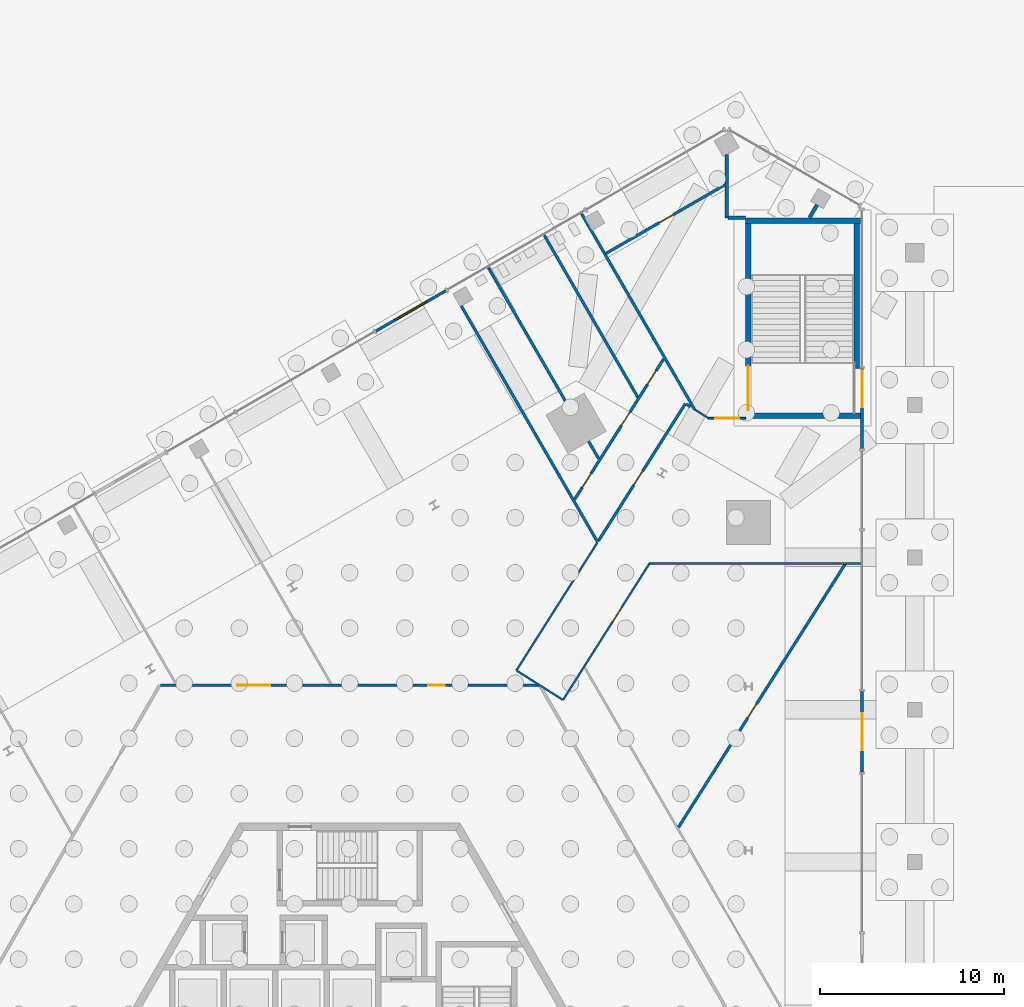
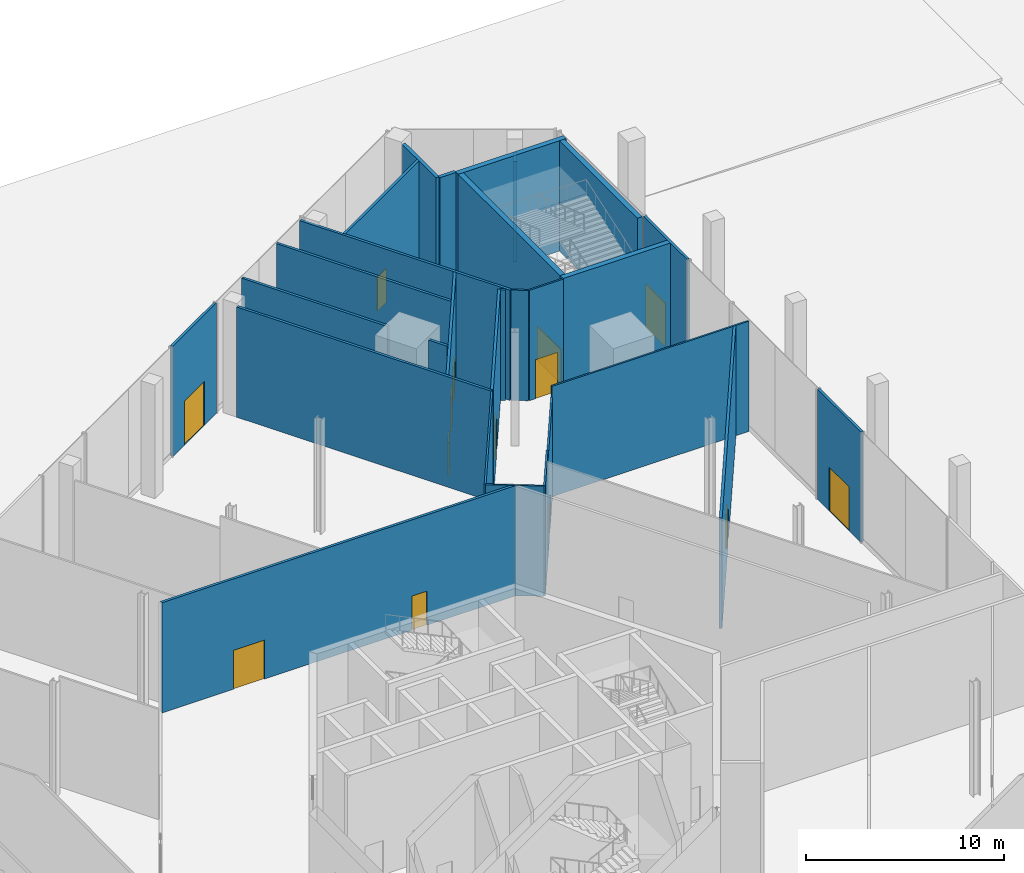
# One storey, part 22 of 27: 28 walls, 14 doors, 14 openings.
"""IFC4 building model written with IfcOpenShell, lengths in metres."""

import ifcopenshell
import ifcopenshell.guid

model = None  # the IFC model being written
_history = None  # IfcOwnerHistory: only IFC2X3 demands one
_inside = {}  # id of a spatial element -> (the spatial element, [elements in it])
_under = {}  # id of a project, library or spatial element -> (it, [spatial elements below it])
_declared = {}  # id of a project -> (the project, [libraries it declares])
_typed = {}  # id of a type object -> (the type object, [elements of that type])
_made_of = {}  # id of a material, layer set ... -> (it, [elements and type objects made of it])


def new_model(schema):
    """Start an empty IFC model of exactly this schema.

    Asked for "IFC4X3", IfcOpenShell would pick the latest addendum, in which some entities
    have other attributes; the version numbers below select the first issue.
    IFC2X3 requires an IfcOwnerHistory on every rooted entity: one is made here for all.
    """
    global model, _history
    if schema == "IFC4X3":
        model = ifcopenshell.file(schema_version=(4, 3, 0, 0))
    else:
        model = ifcopenshell.file(schema=schema)
    _inside.clear()
    _under.clear()
    _declared.clear()
    _typed.clear()
    _made_of.clear()
    _history = None
    if model.schema == "IFC2X3":
        org = make("IfcOrganization", Name="unknown")
        user = make(
            "IfcPersonAndOrganization",
            ThePerson=make("IfcPerson", FamilyName="unknown"),
            TheOrganization=org,
        )
        app = make(
            "IfcApplication",
            ApplicationDeveloper=org,
            Version="unknown",
            ApplicationFullName="unknown",
            ApplicationIdentifier="unknown",
        )
        _history = make(
            "IfcOwnerHistory",
            OwningUser=user,
            OwningApplication=app,
            ChangeAction="ADDED",
            CreationDate=0,
        )
    return model


def make(cls, **values):
    """One entity of the class cls with the attributes given. An attribute that is None is left unset."""
    return model.create_entity(
        cls, **{name: value for name, value in values.items() if value is not None}
    )


def rooted(cls, **values):
    """An entity with a GlobalId (a new one), such as an element, a storey or a relation."""
    return make(cls, GlobalId=ifcopenshell.guid.new(), OwnerHistory=_history, **values)


def si_unit(unit_type, name, prefix=None):
    """IfcSIUnit, for example si_unit("LENGTHUNIT", "METRE", prefix="MILLI")."""
    return make("IfcSIUnit", UnitType=unit_type, Prefix=prefix, Name=name)


def assignment(units):
    """IfcUnitAssignment: the units of a project."""
    return None if units is None else make("IfcUnitAssignment", Units=units)


def point(xyz):
    """IfcCartesianPoint."""
    return None if xyz is None else make("IfcCartesianPoint", Coordinates=xyz)


def direction(xyz):
    """IfcDirection."""
    return None if xyz is None else make("IfcDirection", DirectionRatios=xyz)


def frame(location, z_axis=None, x_axis=None):
    """IfcAxis2Placement3D, a coordinate frame: its origin and axes. An axis left out is left unset."""
    return make(
        "IfcAxis2Placement3D",
        Location=point(location),
        Axis=direction(z_axis),
        RefDirection=direction(x_axis),
    )


def frame_2d(location, x_axis=None):
    """IfcAxis2Placement2D, a coordinate frame in the plane: its origin and x axis."""
    return make(
        "IfcAxis2Placement2D", Location=point(location), RefDirection=direction(x_axis)
    )


def origin():
    """The frame at (0, 0, 0) with its axes left unset."""
    return frame((0.0, 0.0, 0.0))


def place(relative_to, where):
    """IfcLocalPlacement: puts the frame where relative to a parent placement (None: the world)."""
    return make(
        "IfcLocalPlacement", PlacementRelTo=relative_to, RelativePlacement=where
    )


def context(
    kind, dimensions, precision=None, world=None, true_north=None, identifier=None
):
    """IfcGeometricRepresentationContext, for example the 3D "Model" context."""
    return make(
        "IfcGeometricRepresentationContext",
        ContextIdentifier=identifier,
        ContextType=kind,
        CoordinateSpaceDimension=dimensions,
        Precision=precision,
        WorldCoordinateSystem=world,
        TrueNorth=true_north,
    )


def subcontext(parent, identifier, kind, view, scale=None):
    """IfcGeometricRepresentationSubContext, for example "Body" below "Model"."""
    return make(
        "IfcGeometricRepresentationSubContext",
        ContextIdentifier=identifier,
        ContextType=kind,
        ParentContext=parent,
        TargetScale=scale,
        TargetView=view,
    )


def project(units=None, contexts=None):
    """IfcProject with its units and contexts."""
    return rooted(
        "IfcProject",
        Name="project",
        RepresentationContexts=contexts,
        UnitsInContext=assignment(units),
    )


def spatial(cls, under=None, at=None, **own):
    """A site, building, storey or space (cls), placed at a placement, below another one or the project."""
    s = rooted(cls, ObjectPlacement=at, **own)
    if under is not None:
        _under.setdefault(under.id(), (under, []))[1].append(s)
    return s


def profile(cls, at=None, kind="AREA", **sizes):
    """A parametric profile (cls). Its sizes go by their IFC names, for example OverallWidth=200.0."""
    return make(cls, ProfileType=kind, Position=at, **sizes)


def rectangle(**sizes):
    """IfcRectangleProfileDef."""
    return profile("IfcRectangleProfileDef", **sizes)


def extrude(swept, where, along, depth):
    """IfcExtrudedAreaSolid: the profile swept, set in the frame where, extruded along a direction by depth."""
    return make(
        "IfcExtrudedAreaSolid",
        SweptArea=swept,
        Position=where,
        ExtrudedDirection=direction(along),
        Depth=depth,
    )


def shape(context_of_items, identifier, shape_type, items):
    """IfcShapeRepresentation: the items that make up one representation, for example the "Body"."""
    return make(
        "IfcShapeRepresentation",
        ContextOfItems=context_of_items,
        RepresentationIdentifier=identifier,
        RepresentationType=shape_type,
        Items=items,
    )


def source(mapping_origin, context_of_items, identifier, shape_type, items):
    """IfcRepresentationMap: a shape defined once, which mapped items show again and again."""
    return make(
        "IfcRepresentationMap",
        MappingOrigin=mapping_origin,
        MappedRepresentation=shape(context_of_items, identifier, shape_type, items),
    )


def transform(
    local_origin,
    x_axis=None,
    y_axis=None,
    z_axis=None,
    scale=None,
    scale2=None,
    scale3=None,
    uniform=True,
):
    """IfcCartesianTransformationOperator3D, or its non-uniform kind. x_axis, y_axis, z_axis: its Axis1, 2, 3."""
    if uniform:
        return make(
            "IfcCartesianTransformationOperator3D",
            Axis1=direction(x_axis),
            Axis2=direction(y_axis),
            LocalOrigin=point(local_origin),
            Scale=scale,
            Axis3=direction(z_axis),
        )
    return make(
        "IfcCartesianTransformationOperator3DnonUniform",
        Axis1=direction(x_axis),
        Axis2=direction(y_axis),
        LocalOrigin=point(local_origin),
        Scale=scale,
        Axis3=direction(z_axis),
        Scale2=scale2,
        Scale3=scale3,
    )


def mapped(mapping_source, mapping_target):
    """IfcMappedItem: shows the shape of a source again, moved by a transform."""
    return make(
        "IfcMappedItem", MappingSource=mapping_source, MappingTarget=mapping_target
    )


def material(Name=None, Category=None):
    """IfcMaterial."""
    return make("IfcMaterial", Name=Name, Category=Category)


def layer(
    of_material, thickness, ventilated=None, Name=None, Category=None, Priority=None
):
    """IfcMaterialLayer: one layer of a wall or slab, of a material (None: an air gap)."""
    return make(
        "IfcMaterialLayer",
        Material=of_material,
        LayerThickness=thickness,
        IsVentilated=ventilated,
        Name=Name,
        Category=Category,
        Priority=Priority,
    )


def layer_set(layers, Name=None):
    """IfcMaterialLayerSet."""
    return make("IfcMaterialLayerSet", MaterialLayers=layers, LayerSetName=Name)


def made_of(thing, what):
    """Note that an element or type object is made of a material, layer set ...; save() writes the relation."""
    if what is not None:
        _made_of.setdefault(what.id(), (what, []))[1].append(thing)
    return thing


def type_object(cls, material=None, **own):
    """A type object (cls), such as IfcWallType, which elements share."""
    return made_of(rooted(cls, **own), material)


def element(
    cls,
    number,
    at=None,
    inside=None,
    cuts=None,
    type_object=None,
    material=None,
    context=None,
    identifier="Body",
    shape_type=None,
    held_by="IfcProductDefinitionShape",
    body=None,
    shapes=None,
    **own,
):
    """One element of the class cls, such as IfcWall. Its Tag is "e" and its number.

    at: its placement. inside: the storey or other place that contains it. cuts: it is an
    opening in that element (IfcRelVoidsElement). A single representation is given by context,
    identifier, shape_type and body (its items); several are given by shapes. held_by: the class
    of the entity that holds the representations. save() writes the other relations.
    """
    e = rooted(cls, Tag="e%d" % number, ObjectPlacement=at, **own)
    if body is not None:
        shapes = [shape(context, identifier, shape_type, body)]
    if shapes is not None:
        e.Representation = make(held_by, Representations=shapes)
    if inside is not None:
        _inside.setdefault(inside.id(), (inside, []))[1].append(e)
    if cuts is not None:
        rooted(
            "IfcRelVoidsElement", RelatingBuildingElement=cuts, RelatedOpeningElement=e
        )
    if type_object is not None:
        _typed.setdefault(type_object.id(), (type_object, []))[1].append(e)
    return made_of(e, material)


def fill(opening, filler):
    """IfcRelFillsElement: the door or window that sits in an opening."""
    return rooted(
        "IfcRelFillsElement",
        RelatingOpeningElement=opening,
        RelatedBuildingElement=filler,
    )


def aggregate(whole, parts):
    """IfcRelAggregates: a whole, such as a stair, and the parts it consists of."""
    return rooted("IfcRelAggregates", RelatingObject=whole, RelatedObjects=parts)


def save(model, path):
    """Write the relations noted so far, then the file.

    IfcRelAggregates (storeys below a building ...), IfcRelContainedInSpatialStructure (elements
    in a storey), IfcRelDefinesByType, IfcRelAssociatesMaterial and IfcRelDeclares: one each for
    every whole, place, type object, material and project.
    """
    for whole, parts in _under.values():
        aggregate(whole, parts)
    for where, things in _inside.values():
        rooted(
            "IfcRelContainedInSpatialStructure",
            RelatedElements=things,
            RelatingStructure=where,
        )
    for kind, things in _typed.values():
        rooted("IfcRelDefinesByType", RelatedObjects=things, RelatingType=kind)
    for what, things in _made_of.values():
        rooted("IfcRelAssociatesMaterial", RelatedObjects=things, RelatingMaterial=what)
    for by, libraries in _declared.values():
        rooted("IfcRelDeclares", RelatingContext=by, RelatedDefinitions=libraries)
    model.write(path)


model = new_model("IFC4")

# Units and contexts
model_context = context("Model", 3, precision=1e-05, world=origin(), true_north=direction((0.0, 1.0)))
body_context = subcontext(model_context, "Body", "Model", "MODEL_VIEW")
ifc_project = project(units=[si_unit("LENGTHUNIT", "METRE"), si_unit("AREAUNIT", "SQUARE_METRE"), si_unit("VOLUMEUNIT", "CUBIC_METRE"), si_unit("PLANEANGLEUNIT", "RADIAN"), si_unit("MASSUNIT", "GRAM", prefix="KILO")], contexts=[model_context])

# Site, building, storey
site_placement = place(None, origin())
site = spatial("IfcSite", under=ifc_project, at=site_placement, CompositionType="ELEMENT")
building_placement = place(site_placement, origin())
building = spatial("IfcBuilding", under=site, at=building_placement, Name="Triune Harvest Tower", CompositionType="ELEMENT")
storey_placement = place(building_placement, origin())
storey = spatial("IfcBuildingStorey", under=building, at=storey_placement, Name="L00", CompositionType="ELEMENT", Elevation=0.0)

# Walls
ifc_material_1 = material(Name="Gypsum board on steel studs", Category="steel")
ifc_layer_1 = layer(ifc_material_1, 0.14990234375)
ifc_layer_set_1 = layer_set([ifc_layer_1], Name="Gypsum board on steel studs")
wall_type_1 = type_object("IfcWallType", Name="Fire Partition 150 mm", PredefinedType="PARTITIONING", material=ifc_layer_set_1)
wall_1_placement = place(storey_placement, frame((6.063720703125, 38.51708984375, 0.0), z_axis=(0.0, 0.0, 1.0), x_axis=(0.500008320849, -0.866020599687, 0.0)))
element("IfcWall", 1, at=wall_1_placement, inside=storey, type_object=wall_type_1, Name="Partition L00 013", PredefinedType="PARTITIONING", context=body_context, shape_type="SweptSolid", body=[
    extrude(rectangle(XDim=14.834716796875, YDim=0.14990234375, at=frame_2d((7.41748046875, 0.0))), origin(), (0.0, 0.0, 1.0), 6.800048828125),
])
wall_2_placement = place(storey_placement, frame((7.5419921875, 40.588134765625, 0.0), z_axis=(0.0, 0.0, 1.0), x_axis=(0.500023771114, -0.86601167909, 0.0)))
element("IfcWall", 2, at=wall_2_placement, inside=storey, type_object=wall_type_1, Name="Partition L00 014", PredefinedType="PARTITIONING", context=body_context, shape_type="SweptSolid", body=[
    extrude(rectangle(XDim=8.509765625, YDim=0.14990234375, at=frame_2d((4.2548828125, 0.0))), origin(), (0.0, 0.0, 1.0), 6.800048828125),
])
wall_3_placement = place(storey_placement, frame((12.98681640625, 31.1572265625, 0.0), z_axis=(0.0, 0.0, 1.0), x_axis=(0.499993928037, -0.866028909405, 0.0)))
element("IfcWall", 3, at=wall_3_placement, inside=storey, type_object=wall_type_1, Name="Partition L00 015", PredefinedType="PARTITIONING", context=body_context, shape_type="SweptSolid", body=[
    extrude(rectangle(XDim=1.08984375, YDim=0.14990234375, at=frame_2d((0.544921875, 0.0))), origin(), (0.0, 0.0, 1.0), 6.800048828125),
])
wall_4_placement = place(storey_placement, frame((10.583984375, 42.344482421875, 0.0), z_axis=(0.0, 0.0, 1.0), x_axis=(0.500008646395, -0.866020411728, 0.0)))
element("IfcWall", 4, at=wall_4_placement, inside=storey, type_object=wall_type_1, Name="Partition L00 016", PredefinedType="PARTITIONING", context=body_context, shape_type="SweptSolid", body=[
    extrude(rectangle(XDim=10.239501953125, YDim=0.14990234375, at=frame_2d((5.11962890625, 0.0))), origin(), (0.0, 0.0, 1.0), 6.800048828125),
])
wall_5_placement = place(storey_placement, frame((12.612060546875, 43.51513671875, 0.0), z_axis=(0.0, 0.0, 1.0), x_axis=(0.500002073493, -0.866024206649, 0.0)))
element("IfcWall", 5, at=wall_5_placement, inside=storey, type_object=wall_type_1, Name="Partition L00 017", PredefinedType="PARTITIONING", context=body_context, shape_type="SweptSolid", body=[
    extrude(rectangle(XDim=12.26904296875, YDim=0.14990234375, at=frame_2d((6.134521484375, 0.0))), origin(), (0.0, 0.0, 1.0), 6.800048828125),
])
wall_6_placement = place(storey_placement, frame((18.29541015625, 33.175537109375, 0.0), z_axis=(0.0, 0.0, 1.0), x_axis=(0.845341014492, -0.534227076456, 0.0)))
element("IfcWall", 6, at=wall_6_placement, inside=storey, type_object=wall_type_1, Name="Partition L00 022", PredefinedType="PARTITIONING", context=body_context, shape_type="SweptSolid", body=[
    extrude(rectangle(XDim=0.274658203125, YDim=0.14990234375, at=frame_2d((0.13720703125, 0.0))), origin(), (0.0, 0.0, 1.0), 6.800048828125),
])

# Wall, openings, doors
wall_7_placement = place(storey_placement, frame((-10.280029296875, 17.892333984375, 0.0), z_axis=(0.0, 0.0, 1.0), x_axis=(1.0, 0.0, 0.0)))
wall_7 = element("IfcWall", 7, at=wall_7_placement, inside=storey, type_object=wall_type_1, Name="Partition L00 037", PredefinedType="PARTITIONING", context=body_context, shape_type="SweptSolid", body=[
    extrude(rectangle(XDim=20.6083984375, YDim=0.14990234375, at=frame_2d((10.30419921875, 0.0))), origin(), (0.0, 0.0, 1.0), 6.800048828125),
])
opening_1_placement = place(wall_7_placement, frame((4.162353515625, 0.0, 0.0)))
opening_1 = element("IfcOpeningElement", 8, at=opening_1_placement, cuts=wall_7, Name="Opening L00-015", PredefinedType="OPENING", context=body_context, shape_type="SweptSolid", body=[
    extrude(rectangle(XDim=1.800048828125, YDim=2.39990234375, at=frame_2d((0.89990234375, 1.199951171875))), frame((0.0, 0.0849609375, 0.0), z_axis=(0.0, -1.0, 0.0), x_axis=(1.0, 0.0, 0.0)), (0.0, 0.0, 1.0), 0.169921875),
])
opening_2_placement = place(wall_7_placement, frame((14.560302734375, 0.0, 0.0)))
opening_2 = element("IfcOpeningElement", 9, at=opening_2_placement, cuts=wall_7, Name="Opening L00-017", PredefinedType="OPENING", context=body_context, shape_type="SweptSolid", body=[
    extrude(rectangle(XDim=0.89990234375, YDim=2.10009765625, at=frame_2d((0.449951171875, 1.050048828125))), frame((0.0, 0.0849609375, 0.0), z_axis=(0.0, -1.0, 0.0), x_axis=(1.0, 0.0, 0.0)), (0.0, 0.0, 1.0), 0.169921875),
])
ifc_material_2 = material(Name="Timber and steel door set", Category="steel")
door_type_1 = type_object("IfcDoorType", Name="Double leaf door FD30 1800 x 2400", OperationType="DOUBLE_DOOR_SINGLE_SWING", PredefinedType="DOOR", material=ifc_material_2)
door_1_placement = place(opening_1_placement, origin())
door_1 = element("IfcDoor", 10, at=door_1_placement, inside=storey, type_object=door_type_1, Name="Door L00-015 Market Hall 00.16", OperationType="DOUBLE_DOOR_SINGLE_SWING", OverallHeight=2.39990234375, OverallWidth=1.800048828125, PredefinedType="DOOR", context=body_context, shape_type="SweptSolid", body=[
    extrude(rectangle(XDim=1.800048828125, YDim=2.39990234375, at=frame_2d((0.89990234375, 1.199951171875))), frame((0.0, 0.02490234375, 0.0), z_axis=(0.0, -1.0, 0.0), x_axis=(1.0, 0.0, 0.0)), (0.0, 0.0, 1.0), 0.050048828125),
])
fill(opening_1, door_1)
ifc_material_3 = material(Name="Timber and steel door set", Category="steel")
door_type_2 = type_object("IfcDoorType", Name="Single leaf door FD30 right hand 900 x 2100", OperationType="SINGLE_SWING_RIGHT", PredefinedType="DOOR", material=ifc_material_3)
door_2_placement = place(opening_2_placement, origin())
door_2 = element("IfcDoor", 11, at=door_2_placement, inside=storey, type_object=door_type_2, Name="Door L00-017 Dry Store Room 00.18", OperationType="SINGLE_SWING_RIGHT", OverallHeight=2.10009765625, OverallWidth=0.89990234375, PredefinedType="DOOR", context=body_context, shape_type="SweptSolid", body=[
    extrude(rectangle(XDim=0.89990234375, YDim=2.10009765625, at=frame_2d((0.449951171875, 1.050048828125))), frame((0.0, 0.02490234375, 0.0), z_axis=(0.0, -1.0, 0.0), x_axis=(1.0, 0.0, 0.0)), (0.0, 0.0, 1.0), 0.050048828125),
])
fill(opening_2, door_2)

# Wall, opening, door
wall_8_placement = place(storey_placement, frame((13.917724609375, 41.353515625, 0.0), z_axis=(0.0, 0.0, 1.0), x_axis=(0.866027152591, 0.499996970966, 0.0)))
wall_8 = element("IfcWall", 12, at=wall_8_placement, inside=storey, type_object=wall_type_1, Name="Partition L00 041", PredefinedType="PARTITIONING", context=body_context, shape_type="SweptSolid", body=[
    extrude(rectangle(XDim=7.595703125, YDim=0.14990234375, at=frame_2d((3.7978515625, 0.0))), origin(), (0.0, 0.0, 1.0), 6.800048828125),
])
opening_3_placement = place(wall_8_placement, frame((3.345703125, 0.0, 0.0)))
opening_3 = element("IfcOpeningElement", 13, at=opening_3_placement, cuts=wall_8, Name="Opening L00-010", PredefinedType="OPENING", context=body_context, shape_type="SweptSolid", body=[
    extrude(rectangle(XDim=0.89990234375, YDim=2.10009765625, at=frame_2d((0.449951171875, 1.050048828125))), frame((0.0, 0.0849609375, 0.0), z_axis=(0.0, -1.0, 0.0), x_axis=(1.0, 0.0, 0.0)), (0.0, 0.0, 1.0), 0.169921875),
])
door_3_placement = place(opening_3_placement, origin())
door_3 = element("IfcDoor", 14, at=door_3_placement, inside=storey, type_object=door_type_2, Name="Door L00-010 Dry Store Room 00.11", OperationType="SINGLE_SWING_RIGHT", OverallHeight=2.10009765625, OverallWidth=0.89990234375, PredefinedType="DOOR", context=body_context, shape_type="SweptSolid", body=[
    extrude(rectangle(XDim=0.89990234375, YDim=2.10009765625, at=frame_2d((0.449951171875, 1.050048828125))), frame((0.0, 0.02490234375, 0.0), z_axis=(0.0, -1.0, 0.0), x_axis=(1.0, 0.0, 0.0)), (0.0, 0.0, 1.0), 0.050048828125),
])
fill(opening_3, door_3)

wall_9_placement = place(storey_placement, frame((17.873779296875, 10.16796875, 0.0), z_axis=(0.0, 0.0, 1.0), x_axis=(0.535111950981, 0.844781155044, 0.0)))
wall_9 = element("IfcWall", 15, at=wall_9_placement, inside=storey, type_object=wall_type_1, Name="Partition L00 046", PredefinedType="PARTITIONING", context=body_context, shape_type="SweptSolid", body=[
    extrude(rectangle(XDim=16.977294921875, YDim=0.14990234375, at=frame_2d((8.48876953125, 0.0))), origin(), (0.0, 0.0, 1.0), 6.800048828125),
])
opening_4_placement = place(wall_9_placement, frame((7.027099609375, 0.0, 0.0)))
opening_4 = element("IfcOpeningElement", 16, at=opening_4_placement, cuts=wall_9, Name="Opening L00-007", PredefinedType="OPENING", context=body_context, shape_type="SweptSolid", body=[
    extrude(rectangle(XDim=0.89990234375, YDim=2.10009765625, at=frame_2d((0.449951171875, 1.050048828125))), frame((0.0, 0.0849609375, 0.0), z_axis=(0.0, -1.0, 0.0), x_axis=(1.0, 0.0, 0.0)), (0.0, 0.0, 1.0), 0.169921875),
])
ifc_material_4 = material(Name="Timber and steel door set", Category="steel")
door_type_3 = type_object("IfcDoorType", Name="Single leaf door FD30 left hand 900 x 2100", OperationType="SINGLE_SWING_LEFT", PredefinedType="DOOR", material=ifc_material_4)
door_4_placement = place(opening_4_placement, origin())
door_4 = element("IfcDoor", 17, at=door_4_placement, inside=storey, type_object=door_type_3, Name="Door L00-007 Dry Store Room 00.07", OperationType="SINGLE_SWING_LEFT", OverallHeight=2.10009765625, OverallWidth=0.89990234375, PredefinedType="DOOR", context=body_context, shape_type="SweptSolid", body=[
    extrude(rectangle(XDim=0.89990234375, YDim=2.10009765625, at=frame_2d((0.449951171875, 1.050048828125))), frame((0.0, 0.02490234375, 0.0), z_axis=(0.0, -1.0, 0.0), x_axis=(1.0, 0.0, 0.0)), (0.0, 0.0, 1.0), 0.050048828125),
])
fill(opening_4, door_4)

wall_10_placement = place(storey_placement, frame((13.53466796875, 25.75439453125, 0.0), z_axis=(0.0, 0.0, 1.0), x_axis=(0.535116639276, 0.844778185306, 0.0)))
wall_10 = element("IfcWall", 18, at=wall_10_placement, inside=storey, type_object=wall_type_1, Name="Partition L00 049", PredefinedType="PARTITIONING", context=body_context, shape_type="SweptSolid", body=[
    extrude(rectangle(XDim=8.81689453125, YDim=0.14990234375, at=frame_2d((4.408447265625, 0.0))), origin(), (0.0, 0.0, 1.0), 6.800048828125),
])
opening_5_placement = place(wall_10_placement, frame((3.56689453125, 0.0, 0.0)))
opening_5 = element("IfcOpeningElement", 19, at=opening_5_placement, cuts=wall_10, Name="Opening L00-011", PredefinedType="OPENING", context=body_context, shape_type="SweptSolid", body=[
    extrude(rectangle(XDim=0.89990234375, YDim=2.10009765625, at=frame_2d((0.449951171875, 1.050048828125))), frame((0.0, 0.0849609375, 0.0), z_axis=(0.0, -1.0, 0.0), x_axis=(1.0, 0.0, 0.0)), (0.0, 0.0, 1.0), 0.169921875),
])
door_5_placement = place(opening_5_placement, origin())
door_5 = element("IfcDoor", 20, at=door_5_placement, inside=storey, type_object=door_type_3, Name="Door L00-011 WC lobby 00.12", OperationType="SINGLE_SWING_LEFT", OverallHeight=2.10009765625, OverallWidth=0.89990234375, PredefinedType="DOOR", context=body_context, shape_type="SweptSolid", body=[
    extrude(rectangle(XDim=0.89990234375, YDim=2.10009765625, at=frame_2d((0.449951171875, 1.050048828125))), frame((0.0, 0.02490234375, 0.0), z_axis=(0.0, -1.0, 0.0), x_axis=(1.0, 0.0, 0.0)), (0.0, 0.0, 1.0), 0.050048828125),
])
fill(opening_5, door_5)

# Wall, openings, doors
wall_11_placement = place(storey_placement, frame((12.236328125, 28.0029296875, 0.0), z_axis=(0.0, 0.0, 1.0), x_axis=(0.535130610287, 0.844769335342, 0.0)))
wall_11 = element("IfcWall", 21, at=wall_11_placement, inside=storey, type_object=wall_type_1, Name="Partition L00 050", PredefinedType="PARTITIONING", context=body_context, shape_type="SweptSolid", body=[
    extrude(rectangle(XDim=9.023193359375, YDim=0.14990234375, at=frame_2d((4.51171875, 0.0))), origin(), (0.0, 0.0, 1.0), 6.800048828125),
])
opening_6_placement = place(wall_11_placement, frame((7.373291015625, 0.0, 0.0)))
opening_6 = element("IfcOpeningElement", 22, at=opening_6_placement, cuts=wall_11, Name="Opening L00-012", PredefinedType="OPENING", context=body_context, shape_type="SweptSolid", body=[
    extrude(rectangle(XDim=0.89990234375, YDim=2.10009765625, at=frame_2d((0.449951171875, 1.050048828125))), frame((0.0, 0.0849609375, 0.0), z_axis=(0.0, -1.0, 0.0), x_axis=(1.0, 0.0, 0.0)), (0.0, 0.0, 1.0), 0.169921875),
])
opening_7_placement = place(wall_11_placement, frame((4.7294921875, 0.0, 0.0)))
opening_7 = element("IfcOpeningElement", 23, at=opening_7_placement, cuts=wall_11, Name="Opening L00-013", PredefinedType="OPENING", context=body_context, shape_type="SweptSolid", body=[
    extrude(rectangle(XDim=0.89990234375, YDim=2.10009765625, at=frame_2d((0.449951171875, 1.050048828125))), frame((0.0, 0.0849609375, 0.0), z_axis=(0.0, -1.0, 0.0), x_axis=(1.0, 0.0, 0.0)), (0.0, 0.0, 1.0), 0.169921875),
])
opening_8_placement = place(wall_11_placement, frame((0.76416015625, 0.0, 0.0)))
opening_8 = element("IfcOpeningElement", 24, at=opening_8_placement, cuts=wall_11, Name="Opening L00-014", PredefinedType="OPENING", context=body_context, shape_type="SweptSolid", body=[
    extrude(rectangle(XDim=0.89990234375, YDim=2.10009765625, at=frame_2d((0.449951171875, 1.050048828125))), frame((0.0, 0.0849609375, 0.0), z_axis=(0.0, -1.0, 0.0), x_axis=(1.0, 0.0, 0.0)), (0.0, 0.0, 1.0), 0.169921875),
])
door_6_placement = place(opening_8_placement, origin())
door_6 = element("IfcDoor", 25, at=door_6_placement, inside=storey, type_object=door_type_3, Name="Door L00-014 Accessible WC 00.15", OperationType="SINGLE_SWING_LEFT", OverallHeight=2.10009765625, OverallWidth=0.89990234375, PredefinedType="DOOR", context=body_context, shape_type="SweptSolid", body=[
    extrude(rectangle(XDim=0.89990234375, YDim=2.10009765625, at=frame_2d((0.449951171875, 1.050048828125))), frame((0.0, 0.02490234375, 0.0), z_axis=(0.0, -1.0, 0.0), x_axis=(1.0, 0.0, 0.0)), (0.0, 0.0, 1.0), 0.050048828125),
])
fill(opening_8, door_6)
door_7_placement = place(opening_6_placement, origin())
door_7 = element("IfcDoor", 26, at=door_7_placement, inside=storey, type_object=door_type_2, Name="Door L00-012 Women's WC 00.13", OperationType="SINGLE_SWING_RIGHT", OverallHeight=2.10009765625, OverallWidth=0.89990234375, PredefinedType="DOOR", context=body_context, shape_type="SweptSolid", body=[
    extrude(rectangle(XDim=0.89990234375, YDim=2.10009765625, at=frame_2d((0.449951171875, 1.050048828125))), frame((0.0, 0.02490234375, 0.0), z_axis=(0.0, -1.0, 0.0), x_axis=(1.0, 0.0, 0.0)), (0.0, 0.0, 1.0), 0.050048828125),
])
fill(opening_6, door_7)
door_8_placement = place(opening_7_placement, origin())
door_8 = element("IfcDoor", 27, at=door_8_placement, inside=storey, type_object=door_type_2, Name="Door L00-013 Men's WC 00.14", OperationType="SINGLE_SWING_RIGHT", OverallHeight=2.10009765625, OverallWidth=0.89990234375, PredefinedType="DOOR", context=body_context, shape_type="SweptSolid", body=[
    extrude(rectangle(XDim=0.89990234375, YDim=2.10009765625, at=frame_2d((0.449951171875, 1.050048828125))), frame((0.0, 0.02490234375, 0.0), z_axis=(0.0, -1.0, 0.0), x_axis=(1.0, 0.0, 0.0)), (0.0, 0.0, 1.0), 0.050048828125),
])
fill(opening_7, door_8)

# Walls
ifc_material_5 = material(Name="Gypsum board on steel studs", Category="steel")
ifc_layer_2 = layer(ifc_material_5, 0.199951171875)
ifc_layer_set_2 = layer_set([ifc_layer_2], Name="Gypsum board on steel studs")
wall_type_2 = type_object("IfcWallType", Name="Fire Wall 200 mm", PredefinedType="PARTITIONING", material=ifc_layer_set_2)
wall_12_placement = place(storey_placement, frame((20.575927734375, 43.300048828125, 0.0), z_axis=(0.0, 0.0, 1.0), x_axis=(1.0, 0.0, 0.0)))
element("IfcWall", 28, at=wall_12_placement, inside=storey, type_object=wall_type_2, Name="Partition L00 040", PredefinedType="PARTITIONING", context=body_context, shape_type="SweptSolid", body=[
    extrude(rectangle(XDim=0.944091796875, YDim=0.199951171875, at=frame_2d((0.47216796875, 0.0))), origin(), (0.0, 0.0, 1.0), 6.800048828125),
])
wall_13_placement = place(storey_placement, frame((20.495849609375, 43.300048828125, 0.0), z_axis=(0.0, 0.0, 1.0), x_axis=(0.0, 1.0, 0.0)))
element("IfcWall", 29, at=wall_13_placement, inside=storey, type_object=wall_type_2, Name="Partition L00 066", PredefinedType="PARTITIONING", context=body_context, shape_type="SweptSolid", body=[
    extrude(rectangle(XDim=3.43408203125, YDim=0.199951171875, at=frame_2d((1.717041015625, 0.0))), origin(), (0.0, 0.0, 1.0), 6.800048828125),
])
ifc_material_6 = material(Name="Gypsum board on steel studs", Category="steel")
ifc_layer_3 = layer(ifc_material_6, 0.10009765625)
ifc_layer_set_3 = layer_set([ifc_layer_3], Name="Gypsum board on steel studs")
wall_type_3 = type_object("IfcWallType", Name="Partition 100 mm", PredefinedType="PARTITIONING", material=ifc_layer_set_3)
wall_14_placement = place(storey_placement, frame((9.087890625, 18.67919921875, 0.0), z_axis=(0.0, 0.0, 1.0), x_axis=(0.8447740423, -0.535123179704, 0.0)))
element("IfcWall", 30, at=wall_14_placement, inside=storey, type_object=wall_type_3, Name="Partition L00 021", PredefinedType="PARTITIONING", context=body_context, shape_type="SweptSolid", body=[
    extrude(rectangle(XDim=2.94091796875, YDim=0.10009765625, at=frame_2d((1.470458984375, 0.0))), origin(), (0.0, 0.0, 1.0), 6.800048828125),
])
wall_15_placement = place(storey_placement, frame((18.7548828125, 32.884521484375, 0.0), z_axis=(0.0, 0.0, 1.0), x_axis=(0.844872507082, -0.534967706293, 0.0)))
element("IfcWall", 31, at=wall_15_placement, inside=storey, type_object=wall_type_3, Name="Partition L00 023", PredefinedType="PARTITIONING", context=body_context, shape_type="SweptSolid", body=[
    extrude(rectangle(XDim=0.89501953125, YDim=0.10009765625, at=frame_2d((0.447509765625, 0.0))), origin(), (0.0, 0.0, 1.0), 6.800048828125),
])
wall_16_placement = place(storey_placement, frame((16.297607421875, 24.510009765625, 0.0), z_axis=(0.0, 0.0, 1.0), x_axis=(1.0, 0.0, 0.0)))
element("IfcWall", 32, at=wall_16_placement, inside=storey, type_object=wall_type_3, Name="Partition L00 038", PredefinedType="PARTITIONING", context=body_context, shape_type="SweptSolid", body=[
    extrude(rectangle(XDim=11.481689453125, YDim=0.10009765625, at=frame_2d((5.74072265625, 0.0))), origin(), (0.0, 0.0, 1.0), 6.800048828125),
])

# Wall, opening, door
wall_17_placement = place(storey_placement, frame((19.52001953125, 32.39990234375, 0.0), z_axis=(0.0, 0.0, 1.0), x_axis=(1.0, 0.0, 0.0)))
wall_17 = element("IfcWall", 33, at=wall_17_placement, inside=storey, type_object=wall_type_3, Name="Partition L00 039", PredefinedType="PARTITIONING", context=body_context, shape_type="SweptSolid", body=[
    extrude(rectangle(XDim=2.0, YDim=0.10009765625, at=frame_2d((1.0, 0.0))), origin(), (0.0, 0.0, 1.0), 6.800048828125),
])
opening_9_placement = place(wall_17_placement, frame((0.35009765625, 0.0, 0.0)))
opening_9 = element("IfcOpeningElement", 34, at=opening_9_placement, cuts=wall_17, Name="Opening L00-009", PredefinedType="OPENING", context=body_context, shape_type="SweptSolid", body=[
    extrude(rectangle(XDim=1.300048828125, YDim=2.39990234375, at=frame_2d((0.64990234375, 1.199951171875))), frame((0.0, 0.06005859375, 0.0), z_axis=(0.0, -1.0, 0.0), x_axis=(1.0, 0.0, 0.0)), (0.0, 0.0, 1.0), 0.1201171875),
])
ifc_material_7 = material(Name="Steel roller shutter", Category="steel")
door_type_4 = type_object("IfcDoorType", Name="Roller shutter 1300 x 2400", OperationType="ROLLINGUP", PredefinedType="DOOR", material=ifc_material_7)
door_9_placement = place(opening_9_placement, origin())
door_9 = element("IfcDoor", 35, at=door_9_placement, inside=storey, type_object=door_type_4, Name="Door L00-009 Market Stall 00.10", OperationType="ROLLINGUP", OverallHeight=2.39990234375, OverallWidth=1.300048828125, PredefinedType="DOOR", context=body_context, shape_type="SweptSolid", body=[
    extrude(rectangle(XDim=1.300048828125, YDim=2.39990234375, at=frame_2d((0.64990234375, 1.199951171875))), frame((0.0, 0.02490234375, 0.0), z_axis=(0.0, -1.0, 0.0), x_axis=(1.0, 0.0, 0.0)), (0.0, 0.0, 1.0), 0.050048828125),
])
fill(opening_9, door_9)

# Wall
wall_18_placement = place(storey_placement, frame((11.597412109375, 17.089599609375, 0.0), z_axis=(0.0, 0.0, 1.0), x_axis=(0.535087540536, 0.844796616922, 0.0)))
element("IfcWall", 36, at=wall_18_placement, inside=storey, type_object=wall_type_3, Name="Partition L00 047", PredefinedType="PARTITIONING", context=body_context, shape_type="SweptSolid", body=[
    extrude(rectangle(XDim=3.112060546875, YDim=0.10009765625, at=frame_2d((1.55615234375, 0.0))), origin(), (0.0, 0.0, 1.0), 6.800048828125),
])

# Wall, opening, door
wall_19_placement = place(storey_placement, frame((13.2626953125, 19.71875, 0.0), z_axis=(0.0, 0.0, 1.0), x_axis=(0.535130183749, 0.844769605538, 0.0)))
wall_19 = element("IfcWall", 37, at=wall_19_placement, inside=storey, type_object=wall_type_3, Name="Partition L00 047a", PredefinedType="PARTITIONING", context=body_context, shape_type="SweptSolid", body=[
    extrude(rectangle(XDim=5.65185546875, YDim=0.10009765625, at=frame_2d((2.825927734375, 0.0))), origin(), (0.0, 0.0, 1.0), 6.11669921875),
])
opening_10_placement = place(wall_19_placement, frame((1.921630859375, 0.0, 0.0)))
opening_10 = element("IfcOpeningElement", 38, at=opening_10_placement, cuts=wall_19, Name="Opening L00-008", PredefinedType="OPENING", context=body_context, shape_type="SweptSolid", body=[
    extrude(rectangle(XDim=0.89990234375, YDim=2.10009765625, at=frame_2d((0.449951171875, 1.050048828125))), frame((0.0, 0.06005859375, 0.0), z_axis=(0.0, -1.0, 0.0), x_axis=(1.0, 0.0, 0.0)), (0.0, 0.0, 1.0), 0.1201171875),
])
ifc_material_8 = material(Name="Timber and steel door set", Category="steel")
door_type_5 = type_object("IfcDoorType", Name="Single leaf door right hand 900 x 2100", OperationType="SINGLE_SWING_RIGHT", PredefinedType="DOOR", material=ifc_material_8)
door_10_placement = place(opening_10_placement, origin())
door_10 = element("IfcDoor", 39, at=door_10_placement, inside=storey, type_object=door_type_5, Name="Door L00-008 Dry Store Room 00.08", OperationType="SINGLE_SWING_RIGHT", OverallHeight=2.10009765625, OverallWidth=0.89990234375, PredefinedType="DOOR", context=body_context, shape_type="SweptSolid", body=[
    extrude(rectangle(XDim=0.89990234375, YDim=2.10009765625, at=frame_2d((0.449951171875, 1.050048828125))), frame((0.0, 0.02490234375, 0.0), z_axis=(0.0, -1.0, 0.0), x_axis=(1.0, 0.0, 0.0)), (0.0, 0.0, 1.0), 0.050048828125),
])
fill(opening_10, door_10)

# Wall
wall_20_placement = place(storey_placement, frame((9.06298828125, 18.695068359375, 0.0), z_axis=(0.0, 0.0, 1.0), x_axis=(0.535122771268, 0.844774301024, 0.0)))
element("IfcWall", 40, at=wall_20_placement, inside=storey, type_object=wall_type_3, Name="Partition L00 048", PredefinedType="PARTITIONING", context=body_context, shape_type="SweptSolid", body=[
    extrude(rectangle(XDim=8.21630859375, YDim=0.10009765625, at=frame_2d((4.108154296875, 0.0))), origin(), (0.0, 0.0, 1.0), 6.800048828125),
])

# Wall, opening, door
ifc_material_9 = material(Name="Concrete 70 MPa", Category="concrete")
ifc_layer_4 = layer(ifc_material_9, 0.300048828125)
ifc_layer_set_4 = layer_set([ifc_layer_4], Name="Concrete 70 MPa")
wall_type_4 = type_object("IfcWallType", Name="Core wall 300", PredefinedType="SHEAR", material=ifc_layer_set_4)
shared_shape_1 = source(origin(), body_context, "Body", "SweptSolid", [
    extrude(rectangle(XDim=10.300048828125, YDim=0.300048828125, at=frame_2d((5.14990234375, 0.0))), origin(), (0.0, 0.0, 1.0), 6.800048828125),
])
wall_21_placement = place(storey_placement, frame((21.669921875, 32.699951171875, 0.0), z_axis=(0.0, 0.0, 1.0), x_axis=(0.0, 1.0, 0.0)))
wall_21 = element("IfcWall", 41, at=wall_21_placement, inside=storey, type_object=wall_type_4, Name="Podium stair ps 1 west wall", PredefinedType="SHEAR", context=body_context, shape_type="MappedRepresentation", body=[
    mapped(shared_shape_1, transform((0.0, 0.0, 0.0), scale=1.0)),
])
opening_11_placement = place(wall_21_placement, frame((0.14990234375, 0.0, 0.0)))
opening_11 = element("IfcOpeningElement", 42, at=opening_11_placement, cuts=wall_21, Name="Opening PS-1-00A", PredefinedType="OPENING", context=body_context, shape_type="SweptSolid", body=[
    extrude(rectangle(XDim=2.39990234375, YDim=2.10009765625, at=frame_2d((1.199951171875, 1.050048828125))), frame((0.0, 0.16015625, 0.0), z_axis=(0.0, -1.0, 0.0), x_axis=(1.0, 0.0, 0.0)), (0.0, 0.0, 1.0), 0.320068359375),
])
ifc_material_10 = material(Name="Steel S235", Category="steel")
door_type_6 = type_object("IfcDoorType", Name="Stair door 2400 FD120", OperationType="DOUBLE_DOOR_DOUBLE_SWING", PredefinedType="DOOR", material=ifc_material_10)
door_11_placement = place(opening_11_placement, origin())
door_11 = element("IfcDoor", 43, at=door_11_placement, inside=storey, type_object=door_type_6, Name="Door PS-1-00A", OperationType="DOUBLE_DOOR_DOUBLE_SWING", OverallHeight=2.10009765625, OverallWidth=2.39990234375, PredefinedType="DOOR", context=body_context, shape_type="SweptSolid", body=[
    extrude(rectangle(XDim=2.39990234375, YDim=2.10009765625, at=frame_2d((1.199951171875, 1.050048828125))), frame((0.0, 0.02490234375, 0.0), z_axis=(0.0, -1.0, 0.0), x_axis=(1.0, 0.0, 0.0)), (0.0, 0.0, 1.0), 0.050048828125),
])
fill(opening_11, door_11)

# Walls
shared_shape_2 = source(origin(), body_context, "Body", "SweptSolid", [
    extrude(rectangle(XDim=7.8798828125, YDim=0.300048828125, at=frame_2d((3.93994140625, 0.0))), origin(), (0.0, 0.0, 1.0), 6.800048828125),
])
wall_22_placement = place(storey_placement, frame((27.570068359375, 35.1201171875, 0.0), z_axis=(0.0, 0.0, 1.0), x_axis=(0.0, 1.0, 0.0)))
element("IfcWall", 44, at=wall_22_placement, inside=storey, type_object=wall_type_4, Name="Podium stair ps 1 east wall", PredefinedType="SHEAR", context=body_context, shape_type="MappedRepresentation", body=[
    mapped(shared_shape_2, transform((0.0, 0.0, 0.0), scale=1.0)),
])
shared_shape_3 = source(origin(), body_context, "Body", "SweptSolid", [
    extrude(rectangle(XDim=6.260009765625, YDim=0.300048828125, at=frame_2d((3.1298828125, 0.0))), origin(), (0.0, 0.0, 1.0), 6.800048828125),
])
wall_23_placement = place(storey_placement, frame((21.52001953125, 32.550048828125, 0.0), z_axis=(0.0, 0.0, 1.0), x_axis=(1.0, 0.0, 0.0)))
element("IfcWall", 45, at=wall_23_placement, inside=storey, type_object=wall_type_4, Name="Podium stair ps 1 south wall", PredefinedType="SHEAR", context=body_context, shape_type="MappedRepresentation", body=[
    mapped(shared_shape_3, transform((0.0, 0.0, 0.0), scale=1.0)),
])
shared_shape_4 = source(origin(), body_context, "Body", "SweptSolid", [
    extrude(rectangle(XDim=6.31005859375, YDim=0.300048828125, at=frame_2d((3.155029296875, 0.0))), origin(), (0.0, 0.0, 1.0), 6.800048828125),
])
wall_24_placement = place(storey_placement, frame((21.52001953125, 43.14990234375, 0.0), z_axis=(0.0, 0.0, 1.0), x_axis=(1.0, 0.0, 0.0)))
element("IfcWall", 46, at=wall_24_placement, inside=storey, type_object=wall_type_4, Name="Podium stair ps 1 north wall", PredefinedType="SHEAR", context=body_context, shape_type="MappedRepresentation", body=[
    mapped(shared_shape_4, transform((0.0, 0.0, 0.0), scale=1.0)),
])

# Wall, opening, door
ifc_material_11 = material(Name="Aluminium bronze anodised", Category="aluminium")
ifc_layer_5 = layer(ifc_material_11, 0.14990234375)
ifc_layer_set_5 = layer_set([ifc_layer_5], Name="Aluminium bronze anodised")
wall_type_5 = type_object("IfcWallType", Name="WW-1 entrance wall", PredefinedType="ELEMENTEDWALL", material=ifc_layer_set_5)
shared_shape_5 = source(origin(), body_context, "Body", "SweptSolid", [
    extrude(rectangle(XDim=4.390625, YDim=0.14990234375, at=frame_2d((2.1953125, 0.0))), origin(), (0.0, 0.0, 1.0), 6.800048828125),
])
wall_25_placement = place(storey_placement, frame((27.854248046875, 35.124267578125, 0.0), z_axis=(0.0, 0.0, 1.0), x_axis=(0.0, -1.0, 0.0)))
wall_25 = element("IfcWall", 47, at=wall_25_placement, inside=storey, type_object=wall_type_5, Name="WW-1 PD-F1 L00.18", PredefinedType="ELEMENTEDWALL", context=body_context, shape_type="MappedRepresentation", body=[
    mapped(shared_shape_5, transform((0.0, 0.0, 0.0), scale=1.0)),
])
opening_12_placement = place(wall_25_placement, frame((0.124267578125, 0.0, 0.0)))
opening_12 = element("IfcOpeningElement", 48, at=opening_12_placement, cuts=wall_25, Name="Opening L00-E05", PredefinedType="OPENING", context=body_context, shape_type="SweptSolid", body=[
    extrude(rectangle(XDim=2.0, YDim=2.699951171875, at=frame_2d((1.0, 1.35009765625))), frame((0.0, 0.0849609375, 0.0), z_axis=(0.0, -1.0, 0.0), x_axis=(1.0, 0.0, 0.0)), (0.0, 0.0, 1.0), 0.169921875),
])
ifc_material_12 = material(Name="Glass", Category="glass")
door_type_7 = type_object("IfcDoorType", Name="DE-1 glazed entrance door 2000 x 2700", OperationType="DOUBLE_DOOR_SINGLE_SWING", PredefinedType="DOOR", material=ifc_material_12)
door_12_placement = place(opening_12_placement, origin())
door_12 = element("IfcDoor", 49, at=door_12_placement, inside=storey, type_object=door_type_7, Name="Door L00-E05", OperationType="DOUBLE_DOOR_SINGLE_SWING", OverallHeight=2.699951171875, OverallWidth=2.0, PredefinedType="DOOR", context=body_context, shape_type="SweptSolid", body=[
    extrude(rectangle(XDim=2.0, YDim=2.699951171875, at=frame_2d((1.0, 1.35009765625))), frame((0.0, 0.02490234375, 0.0), z_axis=(0.0, -1.0, 0.0), x_axis=(1.0, 0.0, 0.0)), (0.0, 0.0, 1.0), 0.050048828125),
])
fill(opening_12, door_12)

shared_shape_6 = source(origin(), body_context, "Body", "SweptSolid", [
    extrude(rectangle(XDim=4.390380859375, YDim=0.14990234375, at=frame_2d((2.1953125, 0.0))), origin(), (0.0, 0.0, 1.0), 6.800048828125),
])
wall_26_placement = place(storey_placement, frame((27.854248046875, 17.56201171875, 0.0), z_axis=(0.0, 0.0, 1.0), x_axis=(0.0, -1.0, 0.0)))
wall_26 = element("IfcWall", 50, at=wall_26_placement, inside=storey, type_object=wall_type_5, Name="WW-1 PD-F1 L00.14", PredefinedType="ELEMENTEDWALL", context=body_context, shape_type="MappedRepresentation", body=[
    mapped(shared_shape_6, transform((0.0, 0.0, 0.0), scale=1.0)),
])
opening_13_placement = place(wall_26_placement, frame((1.1953125, 0.0, 0.0)))
opening_13 = element("IfcOpeningElement", 51, at=opening_13_placement, cuts=wall_26, Name="Opening L00-E04", PredefinedType="OPENING", context=body_context, shape_type="SweptSolid", body=[
    extrude(rectangle(XDim=2.0, YDim=2.699951171875, at=frame_2d((1.0, 1.35009765625))), frame((0.0, 0.0849609375, 0.0), z_axis=(0.0, -1.0, 0.0), x_axis=(1.0, 0.0, 0.0)), (0.0, 0.0, 1.0), 0.169921875),
])
door_13_placement = place(opening_13_placement, origin())
door_13 = element("IfcDoor", 52, at=door_13_placement, inside=storey, type_object=door_type_7, Name="Door L00-E04", OperationType="DOUBLE_DOOR_SINGLE_SWING", OverallHeight=2.699951171875, OverallWidth=2.0, PredefinedType="DOOR", context=body_context, shape_type="SweptSolid", body=[
    extrude(rectangle(XDim=2.0, YDim=2.699951171875, at=frame_2d((1.0, 1.35009765625))), frame((0.0, 0.02490234375, 0.0), z_axis=(0.0, -1.0, 0.0), x_axis=(1.0, 0.0, 0.0)), (0.0, 0.0, 1.0), 0.050048828125),
])
fill(opening_13, door_13)

shared_shape_7 = source(origin(), body_context, "Body", "SweptSolid", [
    extrude(rectangle(XDim=4.40283203125, YDim=0.14990234375, at=frame_2d((2.201416015625, 0.0))), origin(), (0.0, 0.0, 1.0), 6.800048828125),
])
wall_27_placement = place(storey_placement, frame((1.43115234375, 37.146484375, 0.0), z_axis=(0.0, 0.0, 1.0), x_axis=(0.866026760492, 0.499997650106, 0.0)))
wall_27 = element("IfcWall", 53, at=wall_27_placement, inside=storey, type_object=wall_type_5, Name="WW-1 PD-F3 L00.5", PredefinedType="ELEMENTEDWALL", context=body_context, shape_type="MappedRepresentation", body=[
    mapped(shared_shape_7, transform((0.0, 0.0, 0.0), scale=1.0)),
])
opening_14_placement = place(wall_27_placement, frame((1.201416015625, 0.0, 0.0)))
opening_14 = element("IfcOpeningElement", 54, at=opening_14_placement, cuts=wall_27, Name="Opening L00-E06", PredefinedType="OPENING", context=body_context, shape_type="SweptSolid", body=[
    extrude(rectangle(XDim=2.0, YDim=2.699951171875, at=frame_2d((1.0, 1.35009765625))), frame((0.0, 0.0849609375, 0.0), z_axis=(0.0, -1.0, 0.0), x_axis=(1.0, 0.0, 0.0)), (0.0, 0.0, 1.0), 0.169921875),
])
door_14_placement = place(opening_14_placement, origin())
door_14 = element("IfcDoor", 55, at=door_14_placement, inside=storey, type_object=door_type_7, Name="Door L00-E06", OperationType="DOUBLE_DOOR_SINGLE_SWING", OverallHeight=2.699951171875, OverallWidth=2.0, PredefinedType="DOOR", context=body_context, shape_type="SweptSolid", body=[
    extrude(rectangle(XDim=2.0, YDim=2.699951171875, at=frame_2d((1.0, 1.35009765625))), frame((0.0, 0.02490234375, 0.0), z_axis=(0.0, -1.0, 0.0), x_axis=(1.0, 0.0, 0.0)), (0.0, 0.0, 1.0), 0.050048828125),
])
fill(opening_14, door_14)

# Wall
shared_shape_8 = source(origin(), body_context, "Body", "SweptSolid", [
    extrude(rectangle(XDim=0.822265625, YDim=0.199951171875, at=frame_2d((0.4111328125, 0.0))), origin(), (0.0, 0.0, 1.0), 6.187744140625),
])
wall_28_placement = place(storey_placement, frame((24.999267578125, 43.300048828125, 0.0), z_axis=(0.0, 0.0, 1.0), x_axis=(0.499970888758, 0.866042210515, 0.0)))
element("IfcWall", 56, at=wall_28_placement, inside=storey, type_object=wall_type_2, Name="Partition L00 060", PredefinedType="PARTITIONING", context=body_context, shape_type="MappedRepresentation", body=[
    mapped(shared_shape_8, transform((0.0, 0.0, 0.0), scale=1.0)),
])

save(model, "model.ifc")
